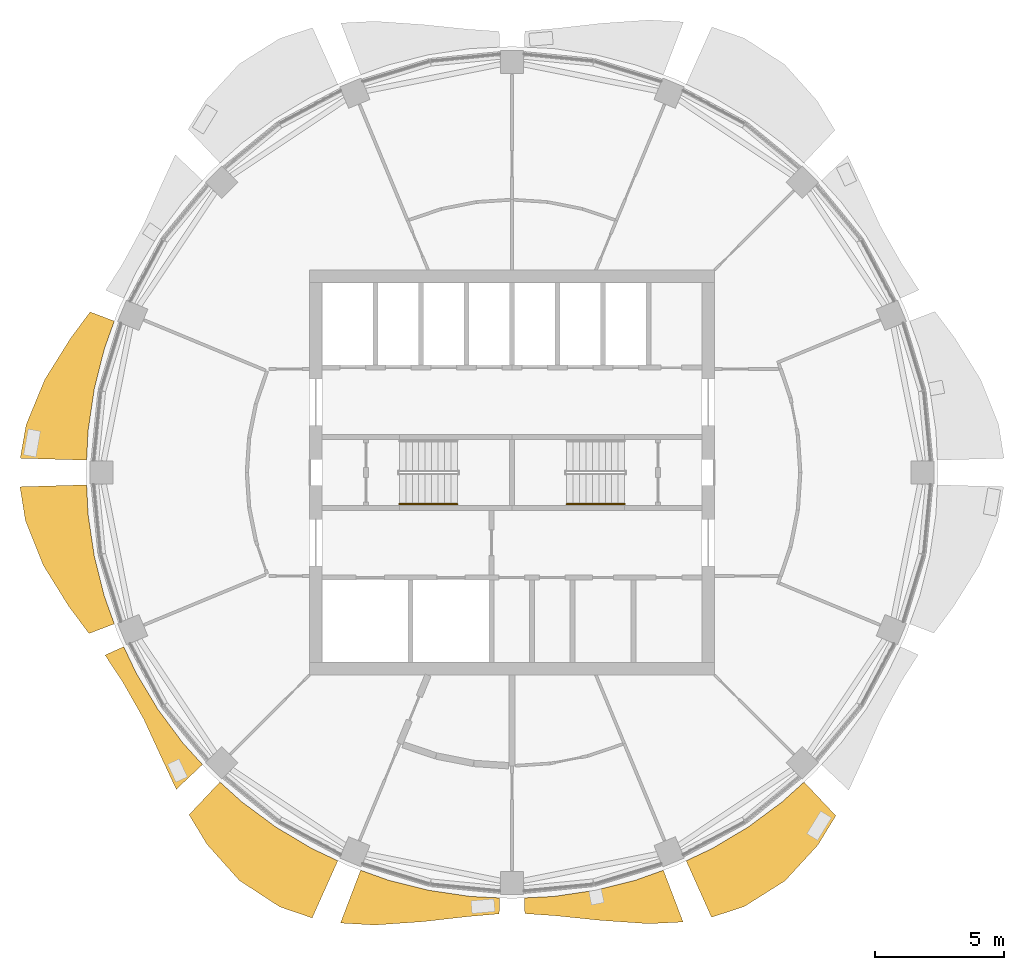
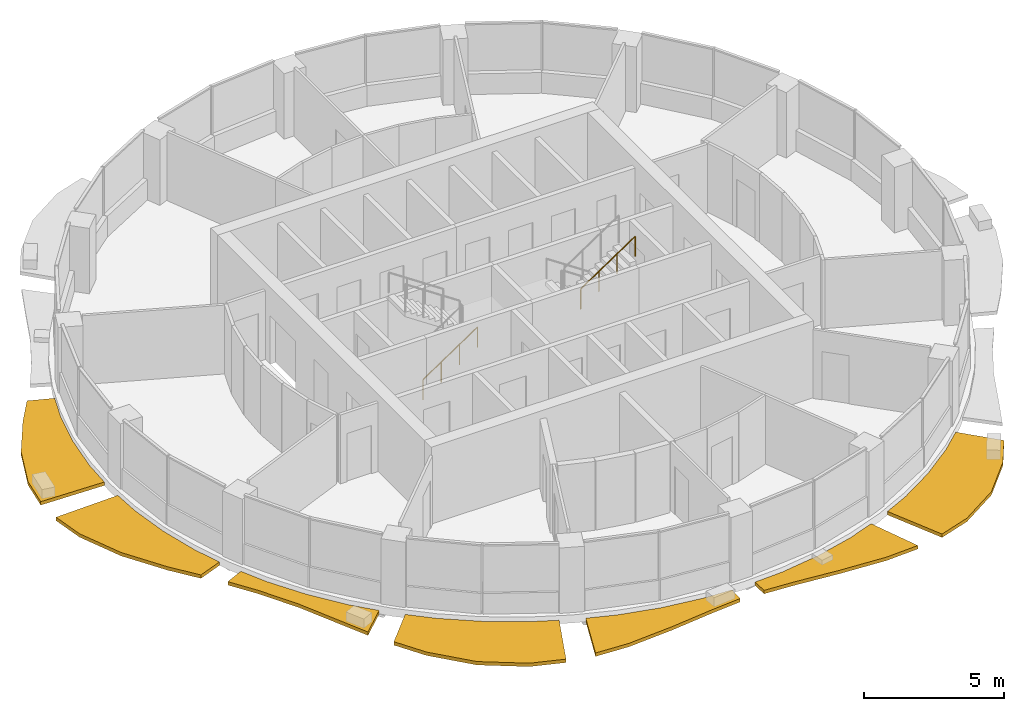
# One storey, part 12 of 15: 7 shading devices, 2 railings.
"""IFC4 building model written with IfcOpenShell, lengths in metres."""

from ifc_helpers import new_model, si_unit, direction, frame, origin, origin_2d, place, context, subcontext, project, spatial, polyline, circle, outline, extrude, material, type_object, element, save


model = new_model("IFC4")

# Units and contexts
model_context = context("Model", 3, precision=1e-05, world=origin(), true_north=direction((0.0, 1.0)))
body_context = subcontext(model_context, "Body", "Model", "MODEL_VIEW")
ifc_project = project(units=[si_unit("LENGTHUNIT", "METRE"), si_unit("AREAUNIT", "SQUARE_METRE"), si_unit("VOLUMEUNIT", "CUBIC_METRE"), si_unit("PLANEANGLEUNIT", "RADIAN"), si_unit("MASSUNIT", "GRAM", prefix="KILO")], contexts=[model_context])

# Site, building, storey
site_placement = place(None, origin())
site = spatial("IfcSite", under=ifc_project, at=site_placement, CompositionType="ELEMENT")
building_placement = place(site_placement, origin())
building = spatial("IfcBuilding", under=site, at=building_placement, Name="Polderwave Tower", CompositionType="ELEMENT")
storey_placement = place(building_placement, frame((0.0, 0.0, 211.10009765625)))
storey = spatial("IfcBuildingStorey", under=building, at=storey_placement, Name="L57", CompositionType="ELEMENT", Elevation=211.10009765625)

# Railings
ifc_material_1 = material(Name="Stainless steel", Category="steel")
railing_type = type_object("IfcRailingType", Name="Stair handrail 900", PredefinedType="HANDRAIL", material=ifc_material_1)
railing_1_placement = place(storey_placement, frame((-4.3740234375, -1.22509765625, 0.16748046875)))
element("IfcRailing", 1, at=railing_1_placement, inside=storey, type_object=railing_type, Name="L57 ST-A stair handrail 1", PredefinedType="HANDRAIL", context=body_context, shape_type="SweptSolid", body=[
    extrude(circle(Radius=0.02392578125, at=origin_2d()), frame((0.0, 0.0, 0.8759765625), z_axis=(0.830799990696, 0.0, 0.556571087517), x_axis=(0.0, 1.0, 0.0)), (0.0, 0.0, 1.0), 2.708251953125),
    extrude(circle(Radius=0.02099609375, at=origin_2d()), origin(), (0.0, 0.0, 1.0), 0.851806640625),
    extrude(circle(Radius=0.02099609375, at=origin_2d()), frame((0.75, 0.0, 0.50244140625)), (0.0, 0.0, 1.0), 0.851806640625),
    extrude(circle(Radius=0.02099609375, at=origin_2d()), frame((1.5, 0.0, 1.0048828125)), (0.0, 0.0, 1.0), 0.851806640625),
    extrude(circle(Radius=0.02099609375, at=origin_2d()), frame((2.25, 0.0, 1.50732421875)), (0.0, 0.0, 1.0), 0.851806640625),
])
railing_2_placement = place(storey_placement, frame((2.1240234375, -1.22509765625, 1.84228515625)))
element("IfcRailing", 2, at=railing_2_placement, inside=storey, type_object=railing_type, Name="L57 ST-B stair handrail 2", PredefinedType="HANDRAIL", context=body_context, shape_type="SweptSolid", body=[
    extrude(circle(Radius=0.02392578125, at=origin_2d()), frame((0.0, 0.0, 0.8759765625), z_axis=(0.830758306289, 0.0, 0.556633305266), x_axis=(0.0, 1.0, 0.0)), (0.0, 0.0, 1.0), 2.708251953125),
    extrude(circle(Radius=0.02099609375, at=origin_2d()), origin(), (0.0, 0.0, 1.0), 0.851806640625),
    extrude(circle(Radius=0.02099609375, at=origin_2d()), frame((0.75, 0.0, 0.50244140625)), (0.0, 0.0, 1.0), 0.851806640625),
    extrude(circle(Radius=0.02099609375, at=origin_2d()), frame((1.5, 0.0, 1.005126953125)), (0.0, 0.0, 1.0), 0.851806640625),
    extrude(circle(Radius=0.02099609375, at=origin_2d()), frame((2.25, 0.0, 1.507568359375)), (0.0, 0.0, 1.0), 0.851806640625),
])

# Shading devices
ifc_material_2 = material(Name="Terracotta", Category="masonry")
shading_device_type = type_object("IfcShadingDeviceType", Name="Terracotta sunshade band", PredefinedType="USERDEFINED", material=ifc_material_2)
shading_device_1_placement = place(storey_placement, frame((0.0, 0.0, -0.35009765625)))
element("IfcShadingDevice", 3, at=shading_device_1_placement, inside=storey, type_object=shading_device_type, Name="Sunshade band L57 8", ObjectType="SUNSHADE", PredefinedType="USERDEFINED", context=body_context, shape_type="SweptSolid", body=[
    extrude(outline(polyline([(-15.451904296875, 5.881103515625), (-15.83740234375, 4.80419921875), (-16.23193359375, 3.228759765625), (-16.47021484375, 1.622314453125), (-16.5263671875, 0.479736328125), (-19.105224609375, 0.5546875), (-18.874755859375, 1.85888671875), (-18.152099609375, 3.610595703125), (-17.156494140625, 5.204345703125), (-16.390625, 6.23828125), (-15.451904296875, 5.881103515625)])), origin(), (0.0, 0.0, 1.0), 0.14990234375),
])
shading_device_2_placement = place(storey_placement, frame((0.0, 0.0, -0.35009765625)))
element("IfcShadingDevice", 4, at=shading_device_2_placement, inside=storey, type_object=shading_device_type, Name="Sunshade band L57 9", ObjectType="SUNSHADE", PredefinedType="USERDEFINED", context=body_context, shape_type="SweptSolid", body=[
    extrude(outline(polyline([(-16.5263671875, -0.479736328125), (-16.47021484375, -1.622314453125), (-16.23193359375, -3.228759765625), (-15.83740234375, -4.80419921875), (-15.451904296875, -5.881103515625), (-16.431884765625, -6.254150390625), (-17.207275390625, -5.2197265625), (-18.200927734375, -3.620361328125), (-18.90478515625, -1.862060546875), (-19.114501953125, -0.554931640625), (-16.5263671875, -0.479736328125)])), origin(), (0.0, 0.0, 1.0), 0.14990234375),
])
shading_device_3_placement = place(storey_placement, frame((0.0, 0.0, -0.35009765625)))
element("IfcShadingDevice", 5, at=shading_device_3_placement, inside=storey, type_object=shading_device_type, Name="Sunshade band L57 10", ObjectType="SUNSHADE", PredefinedType="USERDEFINED", context=body_context, shape_type="SweptSolid", body=[
    extrude(outline(polyline([(-15.084716796875, -6.767578125), (-14.595703125, -7.801513671875), (-13.7607421875, -9.194580078125), (-12.793212890625, -10.499267578125), (-12.025146484375, -11.3466796875), (-13.043701171875, -12.3076171875), (-13.58349609375, -11.147705078125), (-14.314697265625, -9.564697265625), (-15.14697265625, -8.09619140625), (-15.81201171875, -7.093994140625), (-15.084716796875, -6.767578125)])), origin(), (0.0, 0.0, 1.0), 0.14990234375),
])
shading_device_4_placement = place(storey_placement, frame((0.0, 0.0, -0.35009765625)))
element("IfcShadingDevice", 6, at=shading_device_4_placement, inside=storey, type_object=shading_device_type, Name="Sunshade band L57 11", ObjectType="SUNSHADE", PredefinedType="USERDEFINED", context=body_context, shape_type="SweptSolid", body=[
    extrude(outline(polyline([(-11.3466796875, -12.025146484375), (-10.499267578125, -12.793212890625), (-9.194580078125, -13.7607421875), (-7.801513671875, -14.595703125), (-6.767578125, -15.084716796875), (-7.763916015625, -17.3056640625), (-9.0205078125, -16.876220703125), (-10.591064453125, -15.8505859375), (-11.852294921875, -14.442138671875), (-12.54541015625, -13.295654296875), (-11.3466796875, -12.025146484375)])), origin(), (0.0, 0.0, 1.0), 0.14990234375),
])
shading_device_5_placement = place(storey_placement, frame((0.0, 0.0, -0.35009765625)))
element("IfcShadingDevice", 7, at=shading_device_5_placement, inside=storey, type_object=shading_device_type, Name="Sunshade band L57 12", ObjectType="SUNSHADE", PredefinedType="USERDEFINED", context=body_context, shape_type="SweptSolid", body=[
    extrude(outline(polyline([(-5.881103515625, -15.451904296875), (-4.80419921875, -15.83740234375), (-3.228759765625, -16.23193359375), (-1.622314453125, -16.47021484375), (-0.479736328125, -16.5263671875), (-0.497802734375, -17.146240234375), (-1.698974609375, -17.25048828125), (-3.47119140625, -17.450439453125), (-5.3330078125, -17.580322265625), (-6.662109375, -17.504150390625), (-5.881103515625, -15.451904296875)])), origin(), (0.0, 0.0, 1.0), 0.14990234375),
])
shading_device_6_placement = place(storey_placement, frame((0.0, 0.0, -0.35009765625)))
element("IfcShadingDevice", 8, at=shading_device_6_placement, inside=storey, type_object=shading_device_type, Name="Sunshade band L57 13", ObjectType="SUNSHADE", PredefinedType="USERDEFINED", context=body_context, shape_type="SweptSolid", body=[
    extrude(outline(polyline([(0.479736328125, -16.5263671875), (1.622314453125, -16.47021484375), (3.228759765625, -16.23193359375), (4.80419921875, -15.83740234375), (5.881103515625, -15.451904296875), (6.646484375, -17.462890625), (5.317626953125, -17.52978515625), (3.46142578125, -17.401611328125), (1.696044921875, -17.220458984375), (0.49755859375, -17.136962890625), (0.479736328125, -16.5263671875)])), origin(), (0.0, 0.0, 1.0), 0.14990234375),
])
shading_device_7_placement = place(storey_placement, frame((0.0, 0.0, -0.35009765625)))
element("IfcShadingDevice", 9, at=shading_device_7_placement, inside=storey, type_object=shading_device_type, Name="Sunshade band L57 14", ObjectType="SUNSHADE", PredefinedType="USERDEFINED", context=body_context, shape_type="SweptSolid", body=[
    extrude(outline(polyline([(6.767578125, -15.084716796875), (7.801513671875, -14.595703125), (9.194580078125, -13.7607421875), (10.499267578125, -12.793212890625), (11.3466796875, -12.025146484375), (12.581787109375, -13.334228515625), (11.880859375, -14.476806640625), (10.602294921875, -15.86767578125), (9.015380859375, -16.866943359375), (7.751220703125, -17.27734375), (6.767578125, -15.084716796875)])), origin(), (0.0, 0.0, 1.0), 0.14990234375),
])

save(model, "model.ifc")
